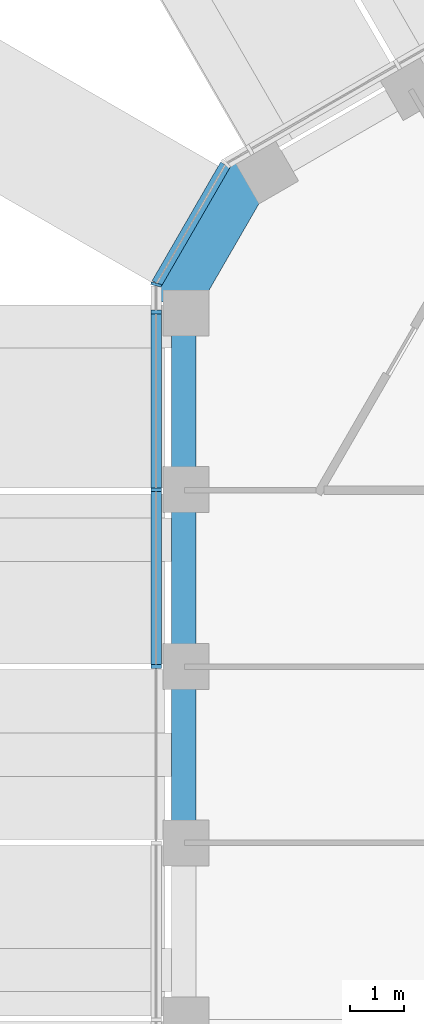
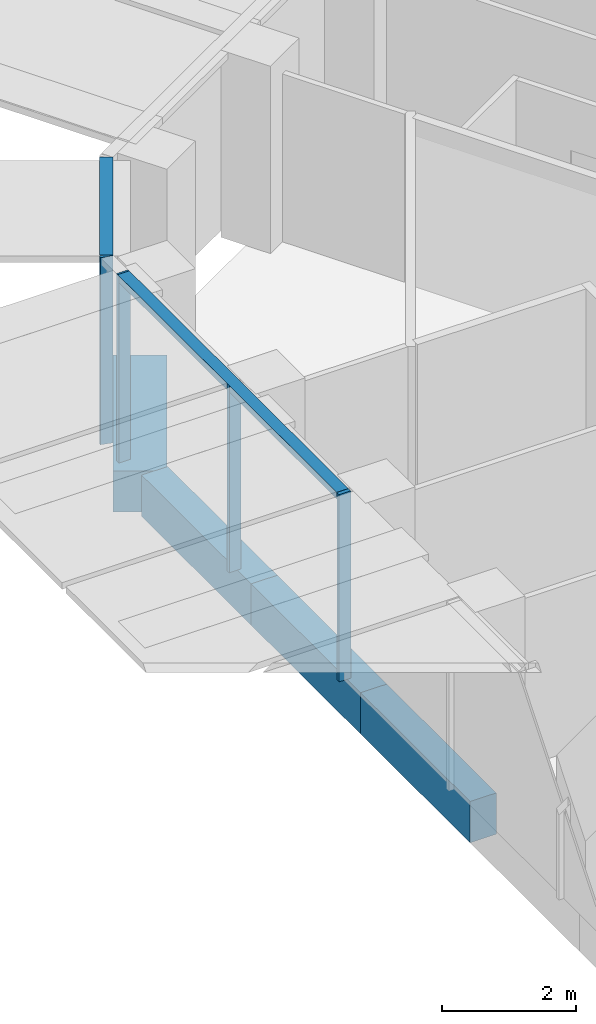
# One storey, part 3 of 17: 6 members, 4 beams, 2 elements without a shape of their own.
"""IFC4 building model written with IfcOpenShell, lengths in metres."""

from ifc_helpers import new_model, si_unit, direction, frame, origin, origin_2d, place, context, subcontext, project, spatial, rectangle, extrude, material, layer, layer_set, material_profile, profile_set, type_object, element, aggregate, save


model = new_model("IFC4")

# Units and contexts
model_context = context("Model", 3, precision=1e-05, world=origin(), true_north=direction((0.0, 1.0)))
body_context = subcontext(model_context, "Body", "Model", "MODEL_VIEW")
ifc_project = project(units=[si_unit("LENGTHUNIT", "METRE"), si_unit("AREAUNIT", "SQUARE_METRE"), si_unit("VOLUMEUNIT", "CUBIC_METRE"), si_unit("PLANEANGLEUNIT", "RADIAN"), si_unit("MASSUNIT", "GRAM", prefix="KILO")], contexts=[model_context])

# Site, building, storey
site_placement = place(None, origin())
site = spatial("IfcSite", under=ifc_project, at=site_placement, CompositionType="ELEMENT")
building_placement = place(site_placement, origin())
building = spatial("IfcBuilding", under=site, at=building_placement, Name="Ayvan Gate Tower", CompositionType="ELEMENT")
storey_placement = place(building_placement, frame((0.0, 0.0, 232.5)))
storey = spatial("IfcBuildingStorey", under=building, at=storey_placement, Name="L62", CompositionType="ELEMENT", Elevation=232.5)

# Beams
ifc_material_1 = material(Name="Concrete C40/50", Category="concrete")
ifc_material_profile_1 = material_profile(ifc_material_1, rectangle(XDim=0.800048828125, YDim=0.75, at=origin_2d()), Name="RC 800x750")
ifc_profile_set_1 = profile_set([ifc_material_profile_1], Name="Concrete C40/50")
beam_type_1 = type_object("IfcBeamType", Name="Corner spandrel beam RC 800x750 C40/50", PredefinedType="BEAM", material=ifc_profile_set_1)
beam_1_placement = place(storey_placement, frame((-15.353271484375, 10.855712890625, -0.72509765625), z_axis=(-0.50002537861, -0.866010750942, 0.0), x_axis=(0.866010750942, -0.50002537861, 0.0)))
element("IfcBeam", 1, at=beam_1_placement, inside=storey, type_object=beam_type_1, Name="SB-L62-18", PredefinedType="BEAM", context=body_context, shape_type="SweptSolid", body=[
    extrude(rectangle(XDim=0.800048828125, YDim=0.75, at=origin_2d()), origin(), (0.0, 0.0, 1.0), 2.999755859375),
])
ifc_material_profile_2 = material_profile(ifc_material_1, rectangle(XDim=0.449951171875, YDim=0.75, at=origin_2d()), Name="RC 450x750")
ifc_profile_set_2 = profile_set([ifc_material_profile_2], Name="Concrete C40/50")
beam_type_2 = type_object("IfcBeamType", Name="Spandrel beam RC 450x750 C40/50", PredefinedType="BEAM", material=ifc_profile_set_2)
for number, where, z_axis, x_axis, name in (
    (2, (-16.662841796875, 8.147705078125, -0.72509765625), (0.0, -1.0, 0.0), (1.0, 0.0, 0.0), "SB-L62-19"),
    (3, (-16.662841796875, 4.888671875, -0.72509765625), (0.0, -1.0, 0.0), (1.0, 0.0, 0.0), "SB-L62-20"),
):
    element("IfcBeam", number, at=place(storey_placement, frame(where, z_axis=z_axis, x_axis=x_axis)), inside=storey, type_object=beam_type_2, Name=name, PredefinedType="BEAM", context=body_context, shape_type="SweptSolid", body=[
        extrude(rectangle(XDim=0.449951171875, YDim=0.75, at=origin_2d()), origin(), (0.0, 0.0, 1.0), 3.259033203125),
    ])
beam_2_placement = place(storey_placement, frame((-16.662841796875, 1.629638671875, -0.72509765625), z_axis=(0.0, -1.0, 0.0), x_axis=(1.0, 0.0, 0.0)))
element("IfcBeam", 4, at=beam_2_placement, inside=storey, type_object=beam_type_2, Name="SB-L62-21", PredefinedType="BEAM", context=body_context, shape_type="SweptSolid", body=[
    extrude(rectangle(XDim=0.449951171875, YDim=0.75, at=origin_2d()), origin(), (0.0, 0.0, 1.0), 3.25927734375),
])

# Curtain wall, members
ifc_material_2 = material(Name="Bronze anodised aluminium", Category="aluminium")
ifc_layer_1 = layer(ifc_material_2, 0.199951171875)
ifc_layer_set_1 = layer_set([ifc_layer_1], Name="Bronze anodised aluminium")
curtain_wall_type_1 = type_object("IfcCurtainWallType", Name="Stick curtain wall CW-2", PredefinedType="NOTDEFINED", material=ifc_layer_set_1)
curtain_wall_1_placement = place(storey_placement, origin())
curtain_wall_1 = element("IfcCurtainWall", 5, at=curtain_wall_1_placement, inside=storey, type_object=curtain_wall_type_1, Name="Stick curtain wall CW-2 L62", PredefinedType="NOTDEFINED")
ifc_material_profile_3 = material_profile(ifc_material_2, rectangle(XDim=0.199951171875, YDim=0.070068359375, at=origin_2d()), Name="Stick curtain wall CW-2 mullion 200 x 70")
ifc_profile_set_3 = profile_set([ifc_material_profile_3], Name="Bronze anodised aluminium")
member_type_1 = type_object("IfcMemberType", Name="Stick curtain wall CW-2 mullion 200 x 70", PredefinedType="MULLION", material=ifc_profile_set_3)
member_1_placement = place(storey_placement, frame((-17.175048828125, 8.189208984375, 0.0), z_axis=(0.0, 0.0, 1.0), x_axis=(-1.0, 0.0, 0.0)))
member_1 = element("IfcMember", 6, at=member_1_placement, type_object=member_type_1, Name="CW-2 mullion 1", PredefinedType="MULLION", context=body_context, shape_type="SweptSolid", body=[
    extrude(rectangle(XDim=0.199951171875, YDim=0.070068359375, at=origin_2d()), origin(), (0.0, 0.0, 1.0), 3.39990234375),
])
member_2_placement = place(storey_placement, frame((-17.175048828125, 4.903076171875, 0.0), z_axis=(0.0, 0.0, 1.0), x_axis=(-1.0, 0.0, 0.0)))
member_2 = element("IfcMember", 7, at=member_2_placement, type_object=member_type_1, Name="CW-2 mullion 2", PredefinedType="MULLION", context=body_context, shape_type="SweptSolid", body=[
    extrude(rectangle(XDim=0.199951171875, YDim=0.070068359375, at=origin_2d()), origin(), (0.0, 0.0, 1.0), 3.39990234375),
])
member_3_placement = place(storey_placement, frame((-17.175048828125, 1.634033203125, 0.0), z_axis=(0.0, 0.0, 1.0), x_axis=(-1.0, 0.0, 0.0)))
member_3 = element("IfcMember", 8, at=member_3_placement, type_object=member_type_1, Name="CW-2 mullion 3", PredefinedType="MULLION", context=body_context, shape_type="SweptSolid", body=[
    extrude(rectangle(XDim=0.199951171875, YDim=0.070068359375, at=origin_2d()), origin(), (0.0, 0.0, 1.0), 3.39990234375),
])
ifc_material_profile_4 = material_profile(ifc_material_2, rectangle(XDim=0.199951171875, YDim=0.1201171875, at=origin_2d()), Name="Stick curtain wall CW-2 transom 200 x 120")
ifc_profile_set_4 = profile_set([ifc_material_profile_4], Name="Bronze anodised aluminium")
member_type_2 = type_object("IfcMemberType", Name="Stick curtain wall CW-2 transom 200 x 120", PredefinedType="USERDEFINED", material=ifc_profile_set_4)
member_4_placement = place(storey_placement, frame((-17.175048828125, 8.189208984375, 3.340087890625), z_axis=(0.0, -1.0, 0.0), x_axis=(1.0, 0.0, 0.0)))
member_4 = element("IfcMember", 9, at=member_4_placement, type_object=member_type_2, Name="CW-2 transom 1", ObjectType="TRANSOM", PredefinedType="USERDEFINED", context=body_context, shape_type="SweptSolid", body=[
    extrude(rectangle(XDim=0.199951171875, YDim=0.1201171875, at=origin_2d()), origin(), (0.0, 0.0, 1.0), 6.52001953125),
])
aggregate(curtain_wall_1, [member_1, member_2, member_3, member_4])

ifc_layer_2 = layer(ifc_material_2, 0.199951171875)
ifc_layer_set_2 = layer_set([ifc_layer_2], Name="Bronze anodised aluminium")
curtain_wall_type_2 = type_object("IfcCurtainWallType", Name="Stick curtain wall CW-6", PredefinedType="NOTDEFINED", material=ifc_layer_set_2)
curtain_wall_2_placement = place(storey_placement, origin())
curtain_wall_2 = element("IfcCurtainWall", 10, at=curtain_wall_2_placement, inside=storey, type_object=curtain_wall_type_2, Name="Stick curtain wall CW-6 L62", PredefinedType="NOTDEFINED")
ifc_material_profile_5 = material_profile(ifc_material_2, rectangle(XDim=0.199951171875, YDim=0.050048828125, at=origin_2d()), Name="Stick curtain wall CW-6 mullion 200 x 50")
ifc_profile_set_5 = profile_set([ifc_material_profile_5], Name="Bronze anodised aluminium")
member_type_3 = type_object("IfcMemberType", Name="Stick curtain wall CW-6 mullion 200 x 50", PredefinedType="MULLION", material=ifc_profile_set_5)
member_5_placement = place(storey_placement, frame((-17.175048828125, 8.69921875, 0.0), z_axis=(0.0, 0.0, 1.0), x_axis=(-0.965925826289, 0.258819045103, 0.0)))
member_5 = element("IfcMember", 11, at=member_5_placement, type_object=member_type_3, Name="CW-6 mullion 3", PredefinedType="MULLION", context=body_context, shape_type="SweptSolid", body=[
    extrude(rectangle(XDim=0.199951171875, YDim=0.050048828125, at=origin_2d()), origin(), (0.0, 0.0, 1.0), 3.39990234375),
])
ifc_material_profile_6 = material_profile(ifc_material_2, rectangle(XDim=0.199951171875, YDim=0.1201171875, at=origin_2d()), Name="Stick curtain wall CW-6 transom 200 x 120")
ifc_profile_set_6 = profile_set([ifc_material_profile_6], Name="Bronze anodised aluminium")
member_type_4 = type_object("IfcMemberType", Name="Stick curtain wall CW-6 transom 200 x 120", PredefinedType="USERDEFINED", material=ifc_profile_set_6)
member_6_placement = place(storey_placement, frame((-15.896240234375, 10.9140625, 3.340087890625), z_axis=(-0.500006158363, -0.866021848223, 0.0), x_axis=(0.866021848223, -0.500006158363, 0.0)))
member_6 = element("IfcMember", 12, at=member_6_placement, type_object=member_type_4, Name="CW-6 transom 2", ObjectType="TRANSOM", PredefinedType="USERDEFINED", context=body_context, shape_type="SweptSolid", body=[
    extrude(rectangle(XDim=0.199951171875, YDim=0.1201171875, at=origin_2d()), origin(), (0.0, 0.0, 1.0), 2.53271484375),
])
aggregate(curtain_wall_2, [member_5, member_6])

save(model, "model.ifc")
